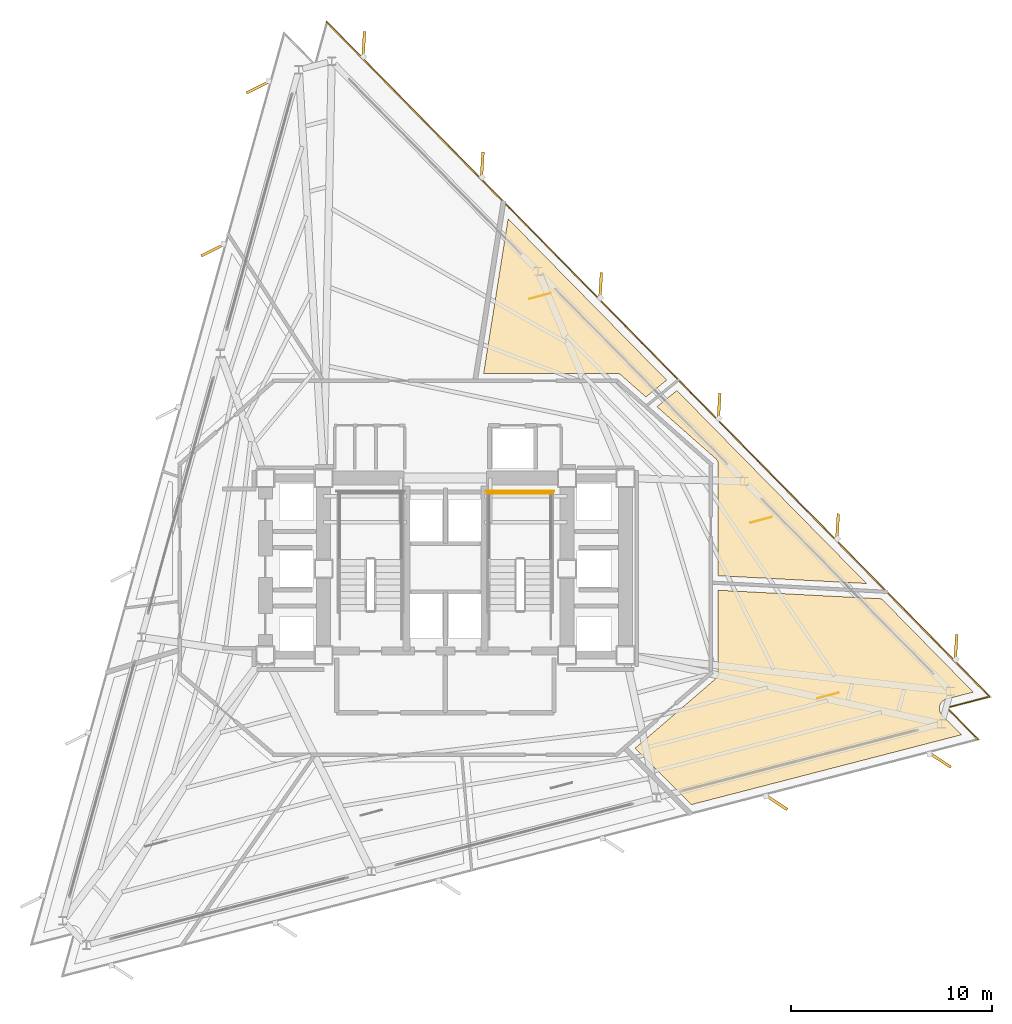
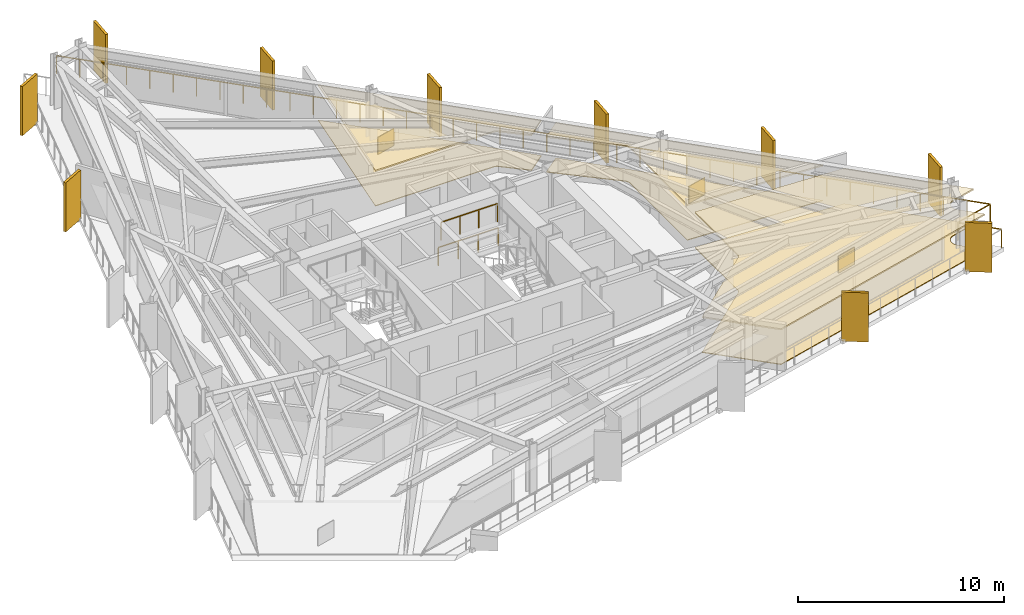
# One storey, part 11 of 11: 10 shading devices, 9 coverings, 3 railings.
"""IFC4 building model written with IfcOpenShell, lengths in metres."""

from ifc_helpers import new_model, si_unit, direction, frame, origin, origin_2d, place, context, subcontext, project, spatial, polyline, rectangle, outline, extrude, material, layer, layer_set, type_object, element, save


model = new_model("IFC4")

# Units and contexts
model_context = context("Model", 3, precision=1e-05, world=origin(), true_north=direction((0.0, 1.0)))
body_context = subcontext(model_context, "Body", "Model", "MODEL_VIEW")
ifc_project = project(units=[si_unit("LENGTHUNIT", "METRE"), si_unit("AREAUNIT", "SQUARE_METRE"), si_unit("VOLUMEUNIT", "CUBIC_METRE"), si_unit("PLANEANGLEUNIT", "RADIAN"), si_unit("MASSUNIT", "GRAM", prefix="KILO")], contexts=[model_context])

# Site, building, storey
site_placement = place(None, origin())
site = spatial("IfcSite", under=ifc_project, at=site_placement, CompositionType="ELEMENT")
building_placement = place(site_placement, origin())
building = spatial("IfcBuilding", under=site, at=building_placement, Name="Rocaltana Carrier Exchange", CompositionType="ELEMENT")
storey_placement = place(building_placement, frame((0.0, 0.0, 91.679931640625)))
storey = spatial("IfcBuildingStorey", under=building, at=storey_placement, Name="L28", CompositionType="ELEMENT", Elevation=91.679931640625)

# Coverings
ifc_material_1 = material(Name="Honed Bogota Sandstone Tile", Category="masonry")
ifc_layer_1 = layer(ifc_material_1, 0.0400390625)
ifc_layer_set_1 = layer_set([ifc_layer_1], Name="Honed Bogota Sandstone Tile")
covering_type_1 = type_object("IfcCoveringType", Name="Honed Stone Lobby Flooring 40", PredefinedType="FLOORING", material=ifc_layer_set_1)
covering_1_placement = place(storey_placement, origin())
element("IfcCovering", 1, at=covering_1_placement, inside=storey, type_object=covering_type_1, Name="L28 Carrier Peering Suite Finish Floor", PredefinedType="FLOORING", context=body_context, shape_type="SweptSolid", body=[
    extrude(outline(polyline([(26.24072265625, -6.1357421875), (24.915771484375, -6.478515625), (24.90234375, -6.482177734375), (24.88330078125, -6.48828125), (24.857177734375, -6.497802734375), (24.838623046875, -6.505615234375), (24.813720703125, -6.517822265625), (24.796142578125, -6.52734375), (24.7724609375, -6.5419921875), (24.755859375, -6.553466796875), (24.73388671875, -6.5703125), (24.718505859375, -6.583251953125), (24.697998046875, -6.602294921875), (24.684326171875, -6.61669921875), (24.666015625, -6.6376953125), (24.653564453125, -6.6533203125), (24.63720703125, -6.67578125), (24.62646484375, -6.692626953125), (24.61279296875, -6.717041015625), (24.603515625, -6.734619140625), (24.59228515625, -6.76025390625), (24.5849609375, -6.77880859375), (24.576416015625, -6.805419921875), (24.57080078125, -6.824462890625), (24.564697265625, -6.851806640625), (24.561279296875, -6.871337890625), (24.55810546875, -6.899169921875), (24.556640625, -6.9189453125), (24.55615234375, -6.947021484375), (24.556640625, -6.966796875), (24.558837890625, -6.99462890625), (24.561279296875, -7.014404296875), (24.56640625, -7.0419921875), (24.57080078125, -7.061279296875), (24.57861328125, -7.088134765625), (24.5849609375, -7.10693359375), (24.59521484375, -7.133056640625), (24.603515625, -7.151123046875), (24.6162109375, -7.17578125), (24.626220703125, -7.193115234375), (24.6416015625, -7.216552734375), (24.6533203125, -7.232666015625), (24.6708984375, -7.25439453125), (24.68408203125, -7.269287109375), (24.693603515625, -7.279541015625), (25.65283203125, -8.255615234375), (12.23486328125, -11.725830078125), (9.431640625, -8.922607421875), (13.43505859375, -5.47265625), (13.44482421875, -5.4638671875), (13.450439453125, -5.45849609375), (13.468994140625, -5.439208984375), (13.47412109375, -5.433349609375), (13.490478515625, -5.41259765625), (13.4951171875, -5.40625), (13.509521484375, -5.3837890625), (13.51318359375, -5.377197265625), (13.525634765625, -5.353515625), (13.52880859375, -5.346435546875), (13.538818359375, -5.32177734375), (13.541259765625, -5.314453125), (13.548828125, -5.288818359375), (13.550537109375, -5.281494140625), (13.5556640625, -5.255126953125), (13.556884765625, -5.24755859375), (13.559326171875, -5.220947265625), (13.559814453125, -5.21337890625), (13.56005859375, -5.199951171875), (13.56005859375, -1.071044921875), (21.68212890625, -1.496826171875), (26.24072265625, -6.1357421875)])), origin(), (0.0, 0.0, 1.0), 0.0400390625),
])
covering_2_placement = place(storey_placement, origin())
element("IfcCovering", 2, at=covering_2_placement, inside=storey, type_object=covering_type_1, Name="L28 Peering Conference Room Finish Floor", PredefinedType="FLOORING", context=body_context, shape_type="SweptSolid", body=[
    extrude(outline(polyline([(20.935302734375, -0.73681640625), (13.56005859375, -0.35009765625), (13.56005859375, 5.199951171875), (13.559814453125, 5.213134765625), (13.559326171875, 5.220703125), (13.556884765625, 5.246826171875), (13.555908203125, 5.25439453125), (13.55078125, 5.2802734375), (13.549072265625, 5.28759765625), (13.541748046875, 5.31298828125), (13.539306640625, 5.320068359375), (13.529541015625, 5.344482421875), (13.526611328125, 5.351318359375), (13.5146484375, 5.375), (13.5107421875, 5.38134765625), (13.49658203125, 5.40380859375), (13.492431640625, 5.409912109375), (13.476318359375, 5.4306640625), (13.471435546875, 5.436279296875), (13.453369140625, 5.455810546875), (13.447998046875, 5.4609375), (13.438232421875, 5.469970703125), (10.5146484375, 8.051513671875), (11.50830078125, 8.856201171875), (20.935302734375, -0.73681640625)])), origin(), (0.0, 0.0, 1.0), 0.0400390625),
])
covering_3_placement = place(storey_placement, origin())
element("IfcCovering", 3, at=covering_3_placement, inside=storey, type_object=covering_type_1, Name="L28 Carrier Peering Suite Finish Floor", PredefinedType="FLOORING", context=body_context, shape_type="SweptSolid", body=[
    extrude(outline(polyline([(11.00146484375, 9.3720703125), (9.96728515625, 8.53466796875), (8.73828125, 9.619873046875), (8.727294921875, 9.629150390625), (8.720703125, 9.63427734375), (8.697265625, 9.651123046875), (8.690185546875, 9.655517578125), (8.6650390625, 9.669921875), (8.65771484375, 9.673583984375), (8.631103515625, 9.68505859375), (8.62353515625, 9.68798828125), (8.595947265625, 9.697021484375), (8.587890625, 9.698974609375), (8.5595703125, 9.704833984375), (8.551513671875, 9.706298828125), (8.522705078125, 9.709228515625), (8.514404296875, 9.709716796875), (8.5, 9.7099609375), (1.90234375, 9.7099609375), (3.119384765625, 17.392822265625), (11.00146484375, 9.3720703125)])), origin(), (0.0, 0.0, 1.0), 0.0400390625),
])
ifc_material_2 = material(Name="Anodised Aluminium 6063-T6", Category="aluminium")
ifc_layer_2 = layer(ifc_material_2, 0.0849609375)
ifc_layer_set_2 = layer_set([ifc_layer_2], Name="Anodised Aluminium 6063-T6")
covering_type_2 = type_object("IfcCoveringType", Name="Linear Baffle Acoustic Ceiling 85", PredefinedType="CEILING", material=ifc_layer_set_2)
covering_4_placement = place(storey_placement, frame((0.0, 0.0, 2.052978515625)))
element("IfcCovering", 4, at=covering_4_placement, inside=storey, type_object=covering_type_2, Name="L28 Carrier Peering Suite Acoustic Ceiling", PredefinedType="CEILING", context=body_context, shape_type="SweptSolid", body=[
    extrude(outline(polyline([(26.24072265625, -6.1357421875), (24.915771484375, -6.478515625), (24.90234375, -6.482177734375), (24.88330078125, -6.48828125), (24.857177734375, -6.497802734375), (24.838623046875, -6.505615234375), (24.813720703125, -6.517822265625), (24.796142578125, -6.52734375), (24.7724609375, -6.5419921875), (24.755859375, -6.553466796875), (24.73388671875, -6.5703125), (24.718505859375, -6.583251953125), (24.697998046875, -6.602294921875), (24.684326171875, -6.61669921875), (24.666015625, -6.6376953125), (24.653564453125, -6.6533203125), (24.63720703125, -6.67578125), (24.62646484375, -6.692626953125), (24.61279296875, -6.717041015625), (24.603515625, -6.734619140625), (24.59228515625, -6.76025390625), (24.5849609375, -6.77880859375), (24.576416015625, -6.805419921875), (24.57080078125, -6.824462890625), (24.564697265625, -6.851806640625), (24.561279296875, -6.871337890625), (24.55810546875, -6.899169921875), (24.556640625, -6.9189453125), (24.55615234375, -6.947021484375), (24.556640625, -6.966796875), (24.558837890625, -6.99462890625), (24.561279296875, -7.014404296875), (24.56640625, -7.0419921875), (24.57080078125, -7.061279296875), (24.57861328125, -7.088134765625), (24.5849609375, -7.10693359375), (24.59521484375, -7.133056640625), (24.603515625, -7.151123046875), (24.6162109375, -7.17578125), (24.626220703125, -7.193115234375), (24.6416015625, -7.216552734375), (24.6533203125, -7.232666015625), (24.6708984375, -7.25439453125), (24.68408203125, -7.269287109375), (24.693603515625, -7.279541015625), (25.65283203125, -8.255615234375), (12.23486328125, -11.725830078125), (9.431640625, -8.922607421875), (13.43505859375, -5.47265625), (13.44482421875, -5.4638671875), (13.450439453125, -5.45849609375), (13.468994140625, -5.439208984375), (13.47412109375, -5.433349609375), (13.490478515625, -5.41259765625), (13.4951171875, -5.40625), (13.509521484375, -5.3837890625), (13.51318359375, -5.377197265625), (13.525634765625, -5.353515625), (13.52880859375, -5.346435546875), (13.538818359375, -5.32177734375), (13.541259765625, -5.314453125), (13.548828125, -5.288818359375), (13.550537109375, -5.281494140625), (13.5556640625, -5.255126953125), (13.556884765625, -5.24755859375), (13.559326171875, -5.220947265625), (13.559814453125, -5.21337890625), (13.56005859375, -5.199951171875), (13.56005859375, -1.071044921875), (21.68212890625, -1.496826171875), (26.24072265625, -6.1357421875)])), origin(), (0.0, 0.0, 1.0), 0.085205078125),
])
covering_5_placement = place(storey_placement, frame((0.0, 0.0, 2.052978515625)))
element("IfcCovering", 5, at=covering_5_placement, inside=storey, type_object=covering_type_2, Name="L28 Peering Conference Room Acoustic Ceiling", PredefinedType="CEILING", context=body_context, shape_type="SweptSolid", body=[
    extrude(outline(polyline([(20.935302734375, -0.73681640625), (13.56005859375, -0.35009765625), (13.56005859375, 5.199951171875), (13.559814453125, 5.213134765625), (13.559326171875, 5.220703125), (13.556884765625, 5.246826171875), (13.555908203125, 5.25439453125), (13.55078125, 5.2802734375), (13.549072265625, 5.28759765625), (13.541748046875, 5.31298828125), (13.539306640625, 5.320068359375), (13.529541015625, 5.344482421875), (13.526611328125, 5.351318359375), (13.5146484375, 5.375), (13.5107421875, 5.38134765625), (13.49658203125, 5.40380859375), (13.492431640625, 5.409912109375), (13.476318359375, 5.4306640625), (13.471435546875, 5.436279296875), (13.453369140625, 5.455810546875), (13.447998046875, 5.4609375), (13.438232421875, 5.469970703125), (10.5146484375, 8.051513671875), (11.50830078125, 8.856201171875), (20.935302734375, -0.73681640625)])), origin(), (0.0, 0.0, 1.0), 0.085205078125),
])
covering_6_placement = place(storey_placement, frame((0.0, 0.0, 2.052978515625)))
element("IfcCovering", 6, at=covering_6_placement, inside=storey, type_object=covering_type_2, Name="L28 Carrier Peering Suite Acoustic Ceiling", PredefinedType="CEILING", context=body_context, shape_type="SweptSolid", body=[
    extrude(outline(polyline([(11.00146484375, 9.3720703125), (9.96728515625, 8.53466796875), (8.73828125, 9.619873046875), (8.727294921875, 9.629150390625), (8.720703125, 9.63427734375), (8.697265625, 9.651123046875), (8.690185546875, 9.655517578125), (8.6650390625, 9.669921875), (8.65771484375, 9.673583984375), (8.631103515625, 9.68505859375), (8.62353515625, 9.68798828125), (8.595947265625, 9.697021484375), (8.587890625, 9.698974609375), (8.5595703125, 9.704833984375), (8.551513671875, 9.706298828125), (8.522705078125, 9.709228515625), (8.514404296875, 9.709716796875), (8.5, 9.7099609375), (1.90234375, 9.7099609375), (3.119384765625, 17.392822265625), (11.00146484375, 9.3720703125)])), origin(), (0.0, 0.0, 1.0), 0.085205078125),
])

# Railings
ifc_material_3 = material(Name="Powder-Coated Aluminium 6063-T6", Category="aluminium")
ifc_layer_3 = layer(ifc_material_3, 0.048095703125)
ifc_layer_set_3 = layer_set([ifc_layer_3], Name="Powder-Coated Aluminium 6063-T6")
railing_type_1 = type_object("IfcRailingType", Name="Stair Well Guardrail 1100", PredefinedType="GUARDRAIL", material=ifc_layer_set_3)
railing_1_placement = place(storey_placement, frame((5.300048828125, 3.75, 1.52001953125)))
element("IfcRailing", 7, at=railing_1_placement, inside=storey, type_object=railing_type_1, Name="L28 ST-2 stair guard 5", PredefinedType="GUARDRAIL", context=body_context, shape_type="SweptSolid", body=[
    extrude(rectangle(XDim=0.048095703125, YDim=0.048095703125, at=origin_2d()), frame((0.0, 0.0, 1.076171875), z_axis=(-1.0, 0.0, 0.0), x_axis=(0.0, -1.0, 0.0)), (0.0, 0.0, 1.0), 3.16015625),
    extrude(rectangle(XDim=0.0419921875, YDim=0.0419921875, at=origin_2d()), origin(), (0.0, 0.0, 1.0), 1.052001953125),
    extrude(rectangle(XDim=0.0419921875, YDim=0.0419921875, at=origin_2d()), frame((-1.053466796875, 0.0, 0.0)), (0.0, 0.0, 1.0), 1.052001953125),
    extrude(rectangle(XDim=0.0419921875, YDim=0.0419921875, at=origin_2d()), frame((-2.106689453125, 0.0, 0.0)), (0.0, 0.0, 1.0), 1.052001953125),
    extrude(rectangle(XDim=0.0419921875, YDim=0.0419921875, at=origin_2d()), frame((-3.16015625, 0.0, 0.0)), (0.0, 0.0, 1.0), 1.052001953125),
])
railing_2_placement = place(storey_placement, frame((5.39990234375, 3.85009765625, 0.0)))
element("IfcRailing", 8, at=railing_2_placement, inside=storey, type_object=railing_type_1, Name="L28 ST-2 stair guard 12", PredefinedType="GUARDRAIL", context=body_context, shape_type="SweptSolid", body=[
    extrude(rectangle(XDim=0.048095703125, YDim=0.048095703125, at=origin_2d()), frame((0.0, 0.0, 1.076171875), z_axis=(-1.0, 0.0, 0.0), x_axis=(0.0, -1.0, 0.0)), (0.0, 0.0, 1.0), 3.35986328125),
    extrude(rectangle(XDim=0.0419921875, YDim=0.0419921875, at=origin_2d()), origin(), (0.0, 0.0, 1.0), 1.052001953125),
    extrude(rectangle(XDim=0.0419921875, YDim=0.0419921875, at=origin_2d()), frame((-1.119873046875, 0.0, 0.0)), (0.0, 0.0, 1.0), 1.052001953125),
    extrude(rectangle(XDim=0.0419921875, YDim=0.0419921875, at=origin_2d()), frame((-2.239990234375, 0.0, 0.0)), (0.0, 0.0, 1.0), 1.052001953125),
    extrude(rectangle(XDim=0.0419921875, YDim=0.0419921875, at=origin_2d()), frame((-3.35986328125, 0.0, 0.0)), (0.0, 0.0, 1.0), 1.052001953125),
])

# Coverings
ifc_material_4 = material(Name="Honed Piedra Muneca Sandstone", Category="masonry")
ifc_layer_4 = layer(ifc_material_4, 0.034912109375)
ifc_layer_set_4 = layer_set([ifc_layer_4], Name="Honed Piedra Muneca Sandstone")
covering_type_3 = type_object("IfcCoveringType", Name="Stone Facade Cladding 35", PredefinedType="CLADDING", material=ifc_layer_set_4)
for number, where, z_axis, x_axis, name in (
    (9, (19.0224609375, -6.306884765625, 0.0), (0.0, 0.0, 1.0), (0.965925826289, 0.258819045103, 0.0), "L28 Stone Facade Cladding Panel 5"),
    (10, (15.694091796875, 2.4248046875, 0.0), (0.0, 0.0, 1.0), (0.965925826289, 0.258819045103, 0.0), "L28 Stone Facade Cladding Panel 6"),
    (11, (4.702392578125, 13.551513671875, 0.0), (0.0, 0.0, 1.0), (0.965925826289, 0.258819045103, 0.0), "L28 Stone Facade Cladding Panel 7"),
):
    element("IfcCovering", number, at=place(storey_placement, frame(where, z_axis=z_axis, x_axis=x_axis)), inside=storey, type_object=covering_type_3, Name=name, PredefinedType="CLADDING", context=body_context, shape_type="SweptSolid", body=[
        extrude(rectangle(XDim=1.10009765625, YDim=0.034912109375, at=origin_2d()), origin(), (0.0, 0.0, 1.0), 1.050048828125),
    ])

# Shading devices
ifc_material_5 = material(Name="Honed Bogota Sandstone & Concrete C45/55", Category="masonry")
ifc_layer_5 = layer(ifc_material_5, 0.139892578125)
ifc_layer_set_5 = layer_set([ifc_layer_5], Name="Honed Bogota Sandstone & Concrete C45/55")
shading_device_type = type_object("IfcShadingDeviceType", Name="Vertical Sandstone Shading Fin 1320x140", PredefinedType="USERDEFINED", material=ifc_layer_set_5)
for number, where, z_axis, x_axis, name in (
    (12, (25.38134765625, -3.9189453125, -0.1201171875), (0.0, 0.0, 1.0), (0.061048539535, 0.998134798422, 0.0), "L28 Sandstone Vertical Fin F1-01"),
    (13, (19.49365234375, 2.072509765625, -0.1201171875), (0.0, 0.0, 1.0), (0.061048539535, 0.998134798422, 0.0), "L28 Sandstone Vertical Fin F1-02"),
    (14, (13.60595703125, 8.063720703125, -0.1201171875), (0.0, 0.0, 1.0), (0.061048539535, 0.998134798422, 0.0), "L28 Sandstone Vertical Fin F1-03"),
    (15, (7.718505859375, 14.054931640625, -0.1201171875), (0.0, 0.0, 1.0), (0.061048539535, 0.998134798422, 0.0), "L28 Sandstone Vertical Fin F1-04"),
    (16, (1.830810546875, 20.04638671875, -0.1201171875), (0.0, 0.0, 1.0), (0.061048539535, 0.998134798422, 0.0), "L28 Sandstone Vertical Fin F1-05"),
    (17, (-4.056884765625, 26.03759765625, -0.1201171875), (0.0, 0.0, 1.0), (0.061048539535, 0.998134798422, 0.0), "L28 Sandstone Vertical Fin F1-06"),
    (18, (-9.296630859375, 23.940185546875, -0.1201171875), (0.0, 0.0, 1.0), (-0.894934361602, -0.44619781311, 0.0), "L28 Sandstone Vertical Fin F2-01"),
    (19, (-11.54150390625, 15.845703125, -0.1201171875), (0.0, 0.0, 1.0), (-0.894934361602, -0.44619781311, 0.0), "L28 Sandstone Vertical Fin F2-02"),
    (20, (16.4453125, -11.608642578125, -0.1201171875), (0.0, 0.0, 1.0), (0.833885822067, -0.551936985312, 0.0), "L28 Sandstone Vertical Fin F3-05"),
    (21, (24.57763671875, -9.50537109375, -0.1201171875), (0.0, 0.0, 1.0), (0.833885822067, -0.551936985312, 0.0), "L28 Sandstone Vertical Fin F3-06"),
):
    element("IfcShadingDevice", number, at=place(storey_placement, frame(where, z_axis=z_axis, x_axis=x_axis)), inside=storey, type_object=shading_device_type, Name=name, ObjectType="FIN", PredefinedType="USERDEFINED", context=body_context, shape_type="SweptSolid", body=[
        extrude(rectangle(XDim=1.320068359375, YDim=0.139892578125, at=origin_2d()), origin(), (0.0, 0.0, 1.0), 2.907958984375),
    ])

# Railing
ifc_material_6 = material(Name="Powder-Coated Aluminium 6063-T6", Category="aluminium")
ifc_layer_6 = layer(ifc_material_6, 0.06005859375)
ifc_layer_set_6 = layer_set([ifc_layer_6], Name="Powder-Coated Aluminium 6063-T6")
railing_type_2 = type_object("IfcRailingType", Name="Wind-Floor & Terrace Perimeter Guardrail 1100", PredefinedType="GUARDRAIL", material=ifc_layer_set_6)
railing_3_placement = place(storey_placement, frame((-5.88720703125, 27.156982421875, 0.0)))
element("IfcRailing", 22, at=railing_3_placement, inside=storey, type_object=railing_type_2, Name="L28 Perimeter Balcony Guardrail 3", PredefinedType="GUARDRAIL", context=body_context, shape_type="SweptSolid", body=[
    extrude(rectangle(XDim=0.048095703125, YDim=0.048095703125, at=origin_2d()), frame((0.0, 0.0, 1.076171875), z_axis=(0.7009130267, -0.713246751835, 0.0), x_axis=(0.713246751835, 0.7009130267, 0.0)), (0.0, 0.0, 1.0), 46.9921875),
    extrude(rectangle(XDim=0.048095703125, YDim=0.048095703125, at=origin_2d()), frame((32.9375, -33.51708984375, 1.076171875), z_axis=(-0.968152477167, -0.250361300835, 0.0), x_axis=(0.250361300835, -0.968152477167, 0.0)), (0.0, 0.0, 1.0), 2.199951171875),
    extrude(rectangle(XDim=0.048095703125, YDim=0.048095703125, at=origin_2d()), frame((30.8076171875, -34.06787109375, 1.076171875), z_axis=(0.700920820206, -0.713239093012, 0.0), x_axis=(0.713239093012, 0.700920820206, 0.0)), (0.0, 0.0, 1.0), 2.199951171875),
    extrude(rectangle(XDim=0.0419921875, YDim=0.0419921875, at=origin_2d()), origin(), (0.0, 0.0, 1.0), 1.052001953125),
    extrude(rectangle(XDim=0.0419921875, YDim=0.0419921875, at=origin_2d()), frame((0.823486328125, -0.837890625, 0.0)), (0.0, 0.0, 1.0), 1.052001953125),
    extrude(rectangle(XDim=0.0419921875, YDim=0.0419921875, at=origin_2d()), frame((1.64697265625, -1.67578125, 0.0)), (0.0, 0.0, 1.0), 1.052001953125),
    extrude(rectangle(XDim=0.0419921875, YDim=0.0419921875, at=origin_2d()), frame((2.47021484375, -2.513671875, 0.0)), (0.0, 0.0, 1.0), 1.052001953125),
    extrude(rectangle(XDim=0.0419921875, YDim=0.0419921875, at=origin_2d()), frame((3.293701171875, -3.351806640625, 0.0)), (0.0, 0.0, 1.0), 1.052001953125),
    extrude(rectangle(XDim=0.0419921875, YDim=0.0419921875, at=origin_2d()), frame((4.1171875, -4.189697265625, 0.0)), (0.0, 0.0, 1.0), 1.052001953125),
    extrude(rectangle(XDim=0.0419921875, YDim=0.0419921875, at=origin_2d()), frame((4.940673828125, -5.027587890625, 0.0)), (0.0, 0.0, 1.0), 1.052001953125),
    extrude(rectangle(XDim=0.0419921875, YDim=0.0419921875, at=origin_2d()), frame((5.76416015625, -5.865478515625, 0.0)), (0.0, 0.0, 1.0), 1.052001953125),
    extrude(rectangle(XDim=0.0419921875, YDim=0.0419921875, at=origin_2d()), frame((6.58740234375, -6.703369140625, 0.0)), (0.0, 0.0, 1.0), 1.052001953125),
    extrude(rectangle(XDim=0.0419921875, YDim=0.0419921875, at=origin_2d()), frame((7.410888671875, -7.541259765625, 0.0)), (0.0, 0.0, 1.0), 1.052001953125),
    extrude(rectangle(XDim=0.0419921875, YDim=0.0419921875, at=origin_2d()), frame((8.234375, -8.37939453125, 0.0)), (0.0, 0.0, 1.0), 1.052001953125),
    extrude(rectangle(XDim=0.0419921875, YDim=0.0419921875, at=origin_2d()), frame((9.057861328125, -9.21728515625, 0.0)), (0.0, 0.0, 1.0), 1.052001953125),
    extrude(rectangle(XDim=0.0419921875, YDim=0.0419921875, at=origin_2d()), frame((9.88134765625, -10.05517578125, 0.0)), (0.0, 0.0, 1.0), 1.052001953125),
    extrude(rectangle(XDim=0.0419921875, YDim=0.0419921875, at=origin_2d()), frame((10.70458984375, -10.89306640625, 0.0)), (0.0, 0.0, 1.0), 1.052001953125),
    extrude(rectangle(XDim=0.0419921875, YDim=0.0419921875, at=origin_2d()), frame((11.528076171875, -11.73095703125, 0.0)), (0.0, 0.0, 1.0), 1.052001953125),
    extrude(rectangle(XDim=0.0419921875, YDim=0.0419921875, at=origin_2d()), frame((12.3515625, -12.56884765625, 0.0)), (0.0, 0.0, 1.0), 1.052001953125),
    extrude(rectangle(XDim=0.0419921875, YDim=0.0419921875, at=origin_2d()), frame((13.175048828125, -13.40673828125, 0.0)), (0.0, 0.0, 1.0), 1.052001953125),
    extrude(rectangle(XDim=0.0419921875, YDim=0.0419921875, at=origin_2d()), frame((13.99853515625, -14.244873046875, 0.0)), (0.0, 0.0, 1.0), 1.052001953125),
    extrude(rectangle(XDim=0.0419921875, YDim=0.0419921875, at=origin_2d()), frame((14.82177734375, -15.082763671875, 0.0)), (0.0, 0.0, 1.0), 1.052001953125),
    extrude(rectangle(XDim=0.0419921875, YDim=0.0419921875, at=origin_2d()), frame((15.645263671875, -15.920654296875, 0.0)), (0.0, 0.0, 1.0), 1.052001953125),
    extrude(rectangle(XDim=0.0419921875, YDim=0.0419921875, at=origin_2d()), frame((16.46875, -16.758544921875, 0.0)), (0.0, 0.0, 1.0), 1.052001953125),
    extrude(rectangle(XDim=0.0419921875, YDim=0.0419921875, at=origin_2d()), frame((17.292236328125, -17.596435546875, 0.0)), (0.0, 0.0, 1.0), 1.052001953125),
    extrude(rectangle(XDim=0.0419921875, YDim=0.0419921875, at=origin_2d()), frame((18.11572265625, -18.434326171875, 0.0)), (0.0, 0.0, 1.0), 1.052001953125),
    extrude(rectangle(XDim=0.0419921875, YDim=0.0419921875, at=origin_2d()), frame((18.93896484375, -19.272216796875, 0.0)), (0.0, 0.0, 1.0), 1.052001953125),
    extrude(rectangle(XDim=0.0419921875, YDim=0.0419921875, at=origin_2d()), frame((19.762451171875, -20.1103515625, 0.0)), (0.0, 0.0, 1.0), 1.052001953125),
    extrude(rectangle(XDim=0.0419921875, YDim=0.0419921875, at=origin_2d()), frame((20.5859375, -20.9482421875, 0.0)), (0.0, 0.0, 1.0), 1.052001953125),
    extrude(rectangle(XDim=0.0419921875, YDim=0.0419921875, at=origin_2d()), frame((21.409423828125, -21.7861328125, 0.0)), (0.0, 0.0, 1.0), 1.052001953125),
    extrude(rectangle(XDim=0.0419921875, YDim=0.0419921875, at=origin_2d()), frame((22.23291015625, -22.6240234375, 0.0)), (0.0, 0.0, 1.0), 1.052001953125),
    extrude(rectangle(XDim=0.0419921875, YDim=0.0419921875, at=origin_2d()), frame((23.05615234375, -23.4619140625, 0.0)), (0.0, 0.0, 1.0), 1.052001953125),
    extrude(rectangle(XDim=0.0419921875, YDim=0.0419921875, at=origin_2d()), frame((23.879638671875, -24.2998046875, 0.0)), (0.0, 0.0, 1.0), 1.052001953125),
    extrude(rectangle(XDim=0.0419921875, YDim=0.0419921875, at=origin_2d()), frame((24.703125, -25.1376953125, 0.0)), (0.0, 0.0, 1.0), 1.052001953125),
    extrude(rectangle(XDim=0.0419921875, YDim=0.0419921875, at=origin_2d()), frame((25.526611328125, -25.975830078125, 0.0)), (0.0, 0.0, 1.0), 1.052001953125),
    extrude(rectangle(XDim=0.0419921875, YDim=0.0419921875, at=origin_2d()), frame((26.35009765625, -26.813720703125, 0.0)), (0.0, 0.0, 1.0), 1.052001953125),
    extrude(rectangle(XDim=0.0419921875, YDim=0.0419921875, at=origin_2d()), frame((27.17333984375, -27.651611328125, 0.0)), (0.0, 0.0, 1.0), 1.052001953125),
    extrude(rectangle(XDim=0.0419921875, YDim=0.0419921875, at=origin_2d()), frame((27.996826171875, -28.489501953125, 0.0)), (0.0, 0.0, 1.0), 1.052001953125),
    extrude(rectangle(XDim=0.0419921875, YDim=0.0419921875, at=origin_2d()), frame((28.8203125, -29.327392578125, 0.0)), (0.0, 0.0, 1.0), 1.052001953125),
    extrude(rectangle(XDim=0.0419921875, YDim=0.0419921875, at=origin_2d()), frame((29.643798828125, -30.165283203125, 0.0)), (0.0, 0.0, 1.0), 1.052001953125),
    extrude(rectangle(XDim=0.0419921875, YDim=0.0419921875, at=origin_2d()), frame((30.46728515625, -31.00341796875, 0.0)), (0.0, 0.0, 1.0), 1.052001953125),
    extrude(rectangle(XDim=0.0419921875, YDim=0.0419921875, at=origin_2d()), frame((31.29052734375, -31.84130859375, 0.0)), (0.0, 0.0, 1.0), 1.052001953125),
    extrude(rectangle(XDim=0.0419921875, YDim=0.0419921875, at=origin_2d()), frame((32.114013671875, -32.67919921875, 0.0)), (0.0, 0.0, 1.0), 1.052001953125),
    extrude(rectangle(XDim=0.0419921875, YDim=0.0419921875, at=origin_2d()), frame((32.9375, -33.51708984375, 0.0)), (0.0, 0.0, 1.0), 1.052001953125),
    extrude(rectangle(XDim=0.0419921875, YDim=0.0419921875, at=origin_2d()), frame((31.87255859375, -33.79248046875, 0.0)), (0.0, 0.0, 1.0), 1.052001953125),
    extrude(rectangle(XDim=0.0419921875, YDim=0.0419921875, at=origin_2d()), frame((30.8076171875, -34.06787109375, 0.0)), (0.0, 0.0, 1.0), 1.052001953125),
    extrude(rectangle(XDim=0.0419921875, YDim=0.0419921875, at=origin_2d()), frame((31.57861328125, -34.8525390625, 0.0)), (0.0, 0.0, 1.0), 1.052001953125),
    extrude(rectangle(XDim=0.0419921875, YDim=0.0419921875, at=origin_2d()), frame((32.349609375, -35.636962890625, 0.0)), (0.0, 0.0, 1.0), 1.052001953125),
])

save(model, "model.ifc")
